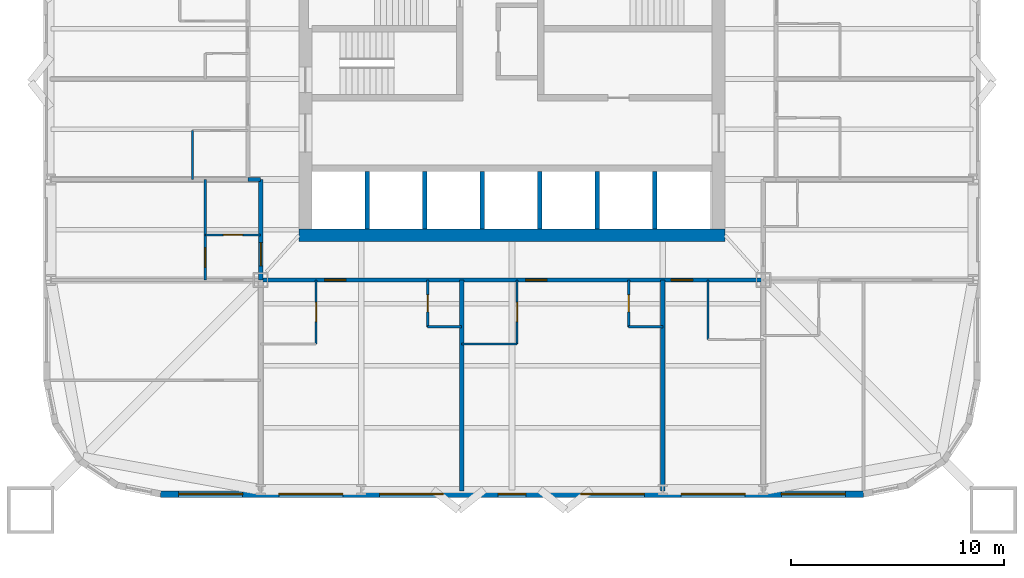
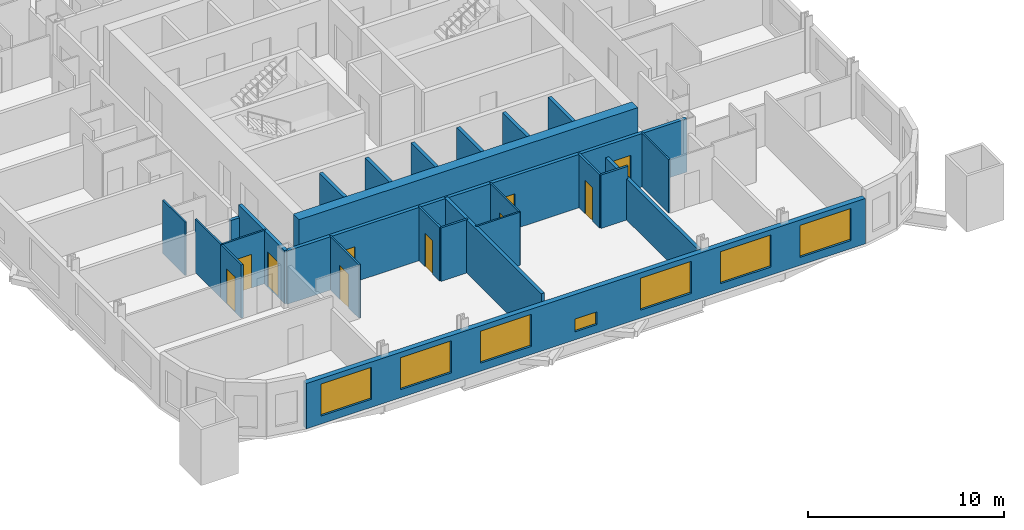
# One storey, part 3 of 10: 25 walls, 10 doors, 7 windows, 17 openings.
"""IFC4 building model written with IfcOpenShell, lengths in metres."""

from ifc_helpers import new_model, si_unit, direction, frame, frame_2d, origin, place, context, subcontext, project, spatial, rectangle, extrude, material, layer, layer_set, type_object, element, fill, save


model = new_model("IFC4")

# Units and contexts
model_context = context("Model", 3, precision=1e-05, world=origin(), true_north=direction((0.0, 1.0)))
body_context = subcontext(model_context, "Body", "Model", "MODEL_VIEW")
ifc_project = project(units=[si_unit("LENGTHUNIT", "METRE"), si_unit("AREAUNIT", "SQUARE_METRE"), si_unit("VOLUMEUNIT", "CUBIC_METRE"), si_unit("PLANEANGLEUNIT", "RADIAN"), si_unit("MASSUNIT", "GRAM", prefix="KILO")], contexts=[model_context])

# Site, building, storey
site_placement = place(None, origin())
site = spatial("IfcSite", under=ifc_project, at=site_placement, CompositionType="ELEMENT")
building_placement = place(site_placement, origin())
building = spatial("IfcBuilding", under=site, at=building_placement, Name="Turquesa Mirador Hotel Tower", CompositionType="ELEMENT")
storey_placement = place(building_placement, frame((0.0, 0.0, 53.0)))
storey = spatial("IfcBuildingStorey", under=building, at=storey_placement, Name="L13", CompositionType="ELEMENT", Elevation=53.0)

# Wall
ifc_material_1 = material(Name="Gypsum board on steel studs", Category="steel")
ifc_layer_1 = layer(ifc_material_1, 0.10009765625)
ifc_layer_set_1 = layer_set([ifc_layer_1], Name="BATHROOM WALL 100")
wall_type_1 = type_object("IfcWallType", Name="BATHROOM WALL 100", PredefinedType="PARTITIONING", material=ifc_layer_set_1)
wall_1_placement = place(storey_placement, frame((52.639892578125, 30.199951171875, 0.0), z_axis=(0.0, 0.0, 1.0), x_axis=(1.0, 0.0, 0.0)))
element("IfcWall", 1, at=wall_1_placement, inside=storey, type_object=wall_type_1, Name="Partition L13 011", PredefinedType="PARTITIONING", context=body_context, shape_type="SweptSolid", body=[
    extrude(rectangle(XDim=2.60009765625, YDim=0.10009765625, at=frame_2d((1.300048828125, 0.0))), origin(), (0.0, 0.0, 1.0), 3.330078125),
])

# Wall, opening, door
wall_2_placement = place(storey_placement, frame((40.60009765625, 35.320068359375, 0.0), z_axis=(0.0, 0.0, 1.0), x_axis=(1.0, 0.0, 0.0)))
wall_2 = element("IfcWall", 2, at=wall_2_placement, inside=storey, type_object=wall_type_1, Name="Partition L13 022", PredefinedType="PARTITIONING", context=body_context, shape_type="SweptSolid", body=[
    extrude(rectangle(XDim=2.599853515625, YDim=0.10009765625, at=frame_2d((1.2998046875, 0.0))), origin(), (0.0, 0.0, 1.0), 3.330078125),
])
opening_1_placement = place(wall_2_placement, frame((0.85009765625, 0.0, 0.0)))
opening_1 = element("IfcOpeningElement", 3, at=opening_1_placement, cuts=wall_2, Name="Opening D02", PredefinedType="OPENING", context=body_context, shape_type="SweptSolid", body=[
    extrude(rectangle(XDim=0.89990234375, YDim=2.10009765625, at=frame_2d((0.449951171875, 1.050048828125))), frame((0.0, 0.06005859375, 0.0), z_axis=(0.0, -1.0, 0.0), x_axis=(1.0, 0.0, 0.0)), (0.0, 0.0, 1.0), 0.1201171875),
])
ifc_material_2 = material(Name="Timber veneered door", Category="wood")
door_type_1 = type_object("IfcDoorType", Name="DOOR 900X2100 EN-SUITE", OperationType="SINGLE_SWING_RIGHT", PredefinedType="DOOR", material=ifc_material_2)
door_1_placement = place(opening_1_placement, origin())
door_1 = element("IfcDoor", 4, at=door_1_placement, inside=storey, type_object=door_type_1, Name="Door 1315B", OperationType="SINGLE_SWING_RIGHT", OverallHeight=2.10009765625, OverallWidth=0.89990234375, PredefinedType="DOOR", context=body_context, shape_type="SweptSolid", body=[
    extrude(rectangle(XDim=0.89990234375, YDim=2.10009765625, at=frame_2d((0.449951171875, 1.050048828125))), frame((0.0, 0.02490234375, 0.0), z_axis=(0.0, -1.0, 0.0), x_axis=(1.0, 0.0, 0.0)), (0.0, 0.0, 1.0), 0.050048828125),
])
fill(opening_1, door_1)

# Walls
wall_3_placement = place(storey_placement, frame((40.60009765625, 35.320068359375, 0.0), z_axis=(0.0, 0.0, 1.0), x_axis=(0.0, 1.0, 0.0)))
element("IfcWall", 5, at=wall_3_placement, inside=storey, type_object=wall_type_1, Name="Partition L13 056", PredefinedType="PARTITIONING", context=body_context, shape_type="SweptSolid", body=[
    extrude(rectangle(XDim=2.599853515625, YDim=0.10009765625, at=frame_2d((1.2998046875, 0.0))), origin(), (0.0, 0.0, 1.0), 3.330078125),
])
wall_4_placement = place(storey_placement, frame((40.0, 37.919921875, 0.0), z_axis=(0.0, 0.0, 1.0), x_axis=(0.0, 1.0, 0.0)))
element("IfcWall", 6, at=wall_4_placement, inside=storey, type_object=wall_type_1, Name="Partition L13 060", PredefinedType="PARTITIONING", context=body_context, shape_type="SweptSolid", body=[
    extrude(rectangle(XDim=2.300048828125, YDim=0.10009765625, at=frame_2d((1.14990234375, 0.0))), origin(), (0.0, 0.0, 1.0), 3.330078125),
])

# Wall, opening, door
wall_5_placement = place(storey_placement, frame((45.800048828125, 30.199951171875, 0.0), z_axis=(0.0, 0.0, 1.0), x_axis=(0.0, 1.0, 0.0)))
wall_5 = element("IfcWall", 7, at=wall_5_placement, inside=storey, type_object=wall_type_1, Name="Partition L13 070", PredefinedType="PARTITIONING", context=body_context, shape_type="SweptSolid", body=[
    extrude(rectangle(XDim=3.0, YDim=0.10009765625, at=frame_2d((1.5, 0.0))), origin(), (0.0, 0.0, 1.0), 3.330078125),
])
opening_2_placement = place(wall_5_placement, frame((1.050048828125, 0.0, 0.0)))
opening_2 = element("IfcOpeningElement", 8, at=opening_2_placement, cuts=wall_5, Name="Opening D02", PredefinedType="OPENING", context=body_context, shape_type="SweptSolid", body=[
    extrude(rectangle(XDim=0.89990234375, YDim=2.10009765625, at=frame_2d((0.449951171875, 1.050048828125))), frame((0.0, 0.06005859375, 0.0), z_axis=(0.0, -1.0, 0.0), x_axis=(1.0, 0.0, 0.0)), (0.0, 0.0, 1.0), 0.1201171875),
])
door_2_placement = place(opening_2_placement, origin())
door_2 = element("IfcDoor", 9, at=door_2_placement, inside=storey, type_object=door_type_1, Name="Door 1305B", OperationType="SINGLE_SWING_RIGHT", OverallHeight=2.10009765625, OverallWidth=0.89990234375, PredefinedType="DOOR", context=body_context, shape_type="SweptSolid", body=[
    extrude(rectangle(XDim=0.89990234375, YDim=2.10009765625, at=frame_2d((0.449951171875, 1.050048828125))), frame((0.0, 0.02490234375, 0.0), z_axis=(0.0, -1.0, 0.0), x_axis=(1.0, 0.0, 0.0)), (0.0, 0.0, 1.0), 0.050048828125),
])
fill(opening_2, door_2)

wall_6_placement = place(storey_placement, frame((55.239990234375, 30.199951171875, 0.0), z_axis=(0.0, 0.0, 1.0), x_axis=(0.0, 1.0, 0.0)))
wall_6 = element("IfcWall", 10, at=wall_6_placement, inside=storey, type_object=wall_type_1, Name="Partition L13 071", PredefinedType="PARTITIONING", context=body_context, shape_type="SweptSolid", body=[
    extrude(rectangle(XDim=3.0, YDim=0.10009765625, at=frame_2d((1.5, 0.0))), origin(), (0.0, 0.0, 1.0), 3.330078125),
])
opening_3_placement = place(wall_6_placement, frame((1.050048828125, 0.0, 0.0)))
opening_3 = element("IfcOpeningElement", 11, at=opening_3_placement, cuts=wall_6, Name="Opening D02", PredefinedType="OPENING", context=body_context, shape_type="SweptSolid", body=[
    extrude(rectangle(XDim=0.89990234375, YDim=2.10009765625, at=frame_2d((0.449951171875, 1.050048828125))), frame((0.0, 0.06005859375, 0.0), z_axis=(0.0, -1.0, 0.0), x_axis=(1.0, 0.0, 0.0)), (0.0, 0.0, 1.0), 0.1201171875),
])
door_3_placement = place(opening_3_placement, origin())
door_3 = element("IfcDoor", 12, at=door_3_placement, inside=storey, type_object=door_type_1, Name="Door 1306B", OperationType="SINGLE_SWING_RIGHT", OverallHeight=2.10009765625, OverallWidth=0.89990234375, PredefinedType="DOOR", context=body_context, shape_type="SweptSolid", body=[
    extrude(rectangle(XDim=0.89990234375, YDim=2.10009765625, at=frame_2d((0.449951171875, 1.050048828125))), frame((0.0, 0.02490234375, 0.0), z_axis=(0.0, -1.0, 0.0), x_axis=(1.0, 0.0, 0.0)), (0.0, 0.0, 1.0), 0.050048828125),
])
fill(opening_3, door_3)

# Walls
wall_7_placement = place(storey_placement, frame((64.199951171875, 30.39990234375, 0.0), z_axis=(0.0, 0.0, 1.0), x_axis=(0.0, 1.0, 0.0)))
element("IfcWall", 13, at=wall_7_placement, inside=storey, type_object=wall_type_1, Name="Partition L13 092", PredefinedType="PARTITIONING", context=body_context, shape_type="SweptSolid", body=[
    extrude(rectangle(XDim=2.800048828125, YDim=0.10009765625, at=frame_2d((1.39990234375, 0.0))), origin(), (0.0, 0.0, 1.0), 3.330078125),
])
ifc_material_3 = material(Name="Concrete C50/60", Category="concrete")
ifc_layer_2 = layer(ifc_material_3, 0.60009765625)
ifc_layer_set_2 = layer_set([ifc_layer_2], Name="CORE WALL 600")
wall_type_2 = type_object("IfcWallType", Name="CORE WALL 600", PredefinedType="SHEAR", material=ifc_layer_set_2)
wall_8_placement = place(storey_placement, frame((45.0, 35.300048828125, 0.0), z_axis=(0.0, 0.0, 1.0), x_axis=(1.0, 0.0, 0.0)))
element("IfcWall", 14, at=wall_8_placement, inside=storey, type_object=wall_type_2, Name="Core wall S", PredefinedType="SHEAR", context=body_context, shape_type="SweptSolid", body=[
    extrude(rectangle(XDim=20.0, YDim=0.60009765625, at=frame_2d((10.0, 0.0))), origin(), (0.0, 0.0, 1.0), 3.5),
])

# Wall, openings, doors
ifc_material_4 = material(Name="Fire-rated gypsum board on steel studs", Category="steel")
ifc_layer_3 = layer(ifc_material_4, 0.199951171875)
ifc_layer_set_3 = layer_set([ifc_layer_3], Name="CORRIDOR WALL 200")
wall_type_3 = type_object("IfcWallType", Name="CORRIDOR WALL 200", PredefinedType="PARTITIONING", material=ifc_layer_set_3)
wall_9_placement = place(storey_placement, frame((43.199951171875, 33.199951171875, 0.0), z_axis=(0.0, 0.0, 1.0), x_axis=(1.0, 0.0, 0.0)))
wall_9 = element("IfcWall", 15, at=wall_9_placement, inside=storey, type_object=wall_type_3, Name="Partition L13 003", PredefinedType="PARTITIONING", context=body_context, shape_type="SweptSolid", body=[
    extrude(rectangle(XDim=23.60009765625, YDim=0.199951171875, at=frame_2d((11.800048828125, 0.0))), origin(), (0.0, 0.0, 1.0), 3.330078125),
])
opening_4_placement = place(wall_9_placement, frame((3.0, 0.0, 0.0)))
opening_4 = element("IfcOpeningElement", 16, at=opening_4_placement, cuts=wall_9, Name="Opening D01", PredefinedType="OPENING", context=body_context, shape_type="SweptSolid", body=[
    extrude(rectangle(XDim=1.0, YDim=2.199951171875, at=frame_2d((0.5, 1.10009765625))), frame((0.0, 0.10986328125, 0.0), z_axis=(0.0, -1.0, 0.0), x_axis=(1.0, 0.0, 0.0)), (0.0, 0.0, 1.0), 0.219970703125),
])
opening_5_placement = place(wall_9_placement, frame((12.43994140625, 0.0, 0.0)))
opening_5 = element("IfcOpeningElement", 17, at=opening_5_placement, cuts=wall_9, Name="Opening D01", PredefinedType="OPENING", context=body_context, shape_type="SweptSolid", body=[
    extrude(rectangle(XDim=1.0, YDim=2.199951171875, at=frame_2d((0.5, 1.10009765625))), frame((0.0, 0.10986328125, 0.0), z_axis=(0.0, -1.0, 0.0), x_axis=(1.0, 0.0, 0.0)), (0.0, 0.0, 1.0), 0.219970703125),
])
opening_6_placement = place(wall_9_placement, frame((19.280029296875, 0.0, 0.0)))
opening_6 = element("IfcOpeningElement", 18, at=opening_6_placement, cuts=wall_9, Name="Opening D01", PredefinedType="OPENING", context=body_context, shape_type="SweptSolid", body=[
    extrude(rectangle(XDim=1.0, YDim=2.199951171875, at=frame_2d((0.5, 1.10009765625))), frame((0.0, 0.10986328125, 0.0), z_axis=(0.0, -1.0, 0.0), x_axis=(1.0, 0.0, 0.0)), (0.0, 0.0, 1.0), 0.219970703125),
])
ifc_material_5 = material(Name="Timber veneered fire door", Category="wood")
door_type_2 = type_object("IfcDoorType", Name="DOOR 1000X2200 GUEST ENTRY", OperationType="SINGLE_SWING_LEFT", PredefinedType="DOOR", material=ifc_material_5)
door_4_placement = place(opening_4_placement, origin())
door_4 = element("IfcDoor", 19, at=door_4_placement, inside=storey, type_object=door_type_2, Name="Door 1305", OperationType="SINGLE_SWING_LEFT", OverallHeight=2.199951171875, OverallWidth=1.0, PredefinedType="DOOR", context=body_context, shape_type="SweptSolid", body=[
    extrude(rectangle(XDim=1.0, YDim=2.199951171875, at=frame_2d((0.5, 1.10009765625))), frame((0.0, 0.02490234375, 0.0), z_axis=(0.0, -1.0, 0.0), x_axis=(1.0, 0.0, 0.0)), (0.0, 0.0, 1.0), 0.050048828125),
])
fill(opening_4, door_4)
door_5_placement = place(opening_5_placement, origin())
door_5 = element("IfcDoor", 20, at=door_5_placement, inside=storey, type_object=door_type_2, Name="Door 1306", OperationType="SINGLE_SWING_LEFT", OverallHeight=2.199951171875, OverallWidth=1.0, PredefinedType="DOOR", context=body_context, shape_type="SweptSolid", body=[
    extrude(rectangle(XDim=1.0, YDim=2.199951171875, at=frame_2d((0.5, 1.10009765625))), frame((0.0, 0.02490234375, 0.0), z_axis=(0.0, -1.0, 0.0), x_axis=(1.0, 0.0, 0.0)), (0.0, 0.0, 1.0), 0.050048828125),
])
fill(opening_5, door_5)
door_6_placement = place(opening_6_placement, origin())
door_6 = element("IfcDoor", 21, at=door_6_placement, inside=storey, type_object=door_type_2, Name="Door 1307", OperationType="SINGLE_SWING_LEFT", OverallHeight=2.199951171875, OverallWidth=1.0, PredefinedType="DOOR", context=body_context, shape_type="SweptSolid", body=[
    extrude(rectangle(XDim=1.0, YDim=2.199951171875, at=frame_2d((0.5, 1.10009765625))), frame((0.0, 0.02490234375, 0.0), z_axis=(0.0, -1.0, 0.0), x_axis=(1.0, 0.0, 0.0)), (0.0, 0.0, 1.0), 0.050048828125),
])
fill(opening_6, door_6)

# Wall
wall_10_placement = place(storey_placement, frame((42.60009765625, 37.919921875, 0.0), z_axis=(0.0, 0.0, 1.0), x_axis=(1.0, 0.0, 0.0)))
element("IfcWall", 22, at=wall_10_placement, inside=storey, type_object=wall_type_3, Name="Partition L13 017", PredefinedType="PARTITIONING", context=body_context, shape_type="SweptSolid", body=[
    extrude(rectangle(XDim=0.599853515625, YDim=0.199951171875, at=frame_2d((0.2998046875, 0.0))), origin(), (0.0, 0.0, 1.0), 2.572998046875),
])

# Wall, opening, door
wall_11_placement = place(storey_placement, frame((43.199951171875, 33.199951171875, 0.0), z_axis=(0.0, 0.0, 1.0), x_axis=(0.0, 1.0, 0.0)))
wall_11 = element("IfcWall", 23, at=wall_11_placement, inside=storey, type_object=wall_type_3, Name="Partition L13 050", PredefinedType="PARTITIONING", context=body_context, shape_type="SweptSolid", body=[
    extrude(rectangle(XDim=4.719970703125, YDim=0.199951171875, at=frame_2d((2.35986328125, 0.0))), origin(), (0.0, 0.0, 1.0), 3.330078125),
])
opening_7_placement = place(wall_11_placement, frame((0.659912109375, 0.0, 0.0)))
opening_7 = element("IfcOpeningElement", 24, at=opening_7_placement, cuts=wall_11, Name="Opening D15", PredefinedType="OPENING", context=body_context, shape_type="SweptSolid", body=[
    extrude(rectangle(XDim=1.10009765625, YDim=2.199951171875, at=frame_2d((0.550048828125, 1.10009765625))), frame((0.0, 0.10986328125, 0.0), z_axis=(0.0, -1.0, 0.0), x_axis=(1.0, 0.0, 0.0)), (0.0, 0.0, 1.0), 0.219970703125),
])
ifc_material_6 = material(Name="Timber veneered fire door", Category="wood")
door_type_3 = type_object("IfcDoorType", Name="DOOR 1100X2200 SUITE ENTRY", OperationType="SINGLE_SWING_LEFT", PredefinedType="DOOR", material=ifc_material_6)
door_7_placement = place(opening_7_placement, origin())
door_7 = element("IfcDoor", 25, at=door_7_placement, inside=storey, type_object=door_type_3, Name="Door 1315H", OperationType="SINGLE_SWING_LEFT", OverallHeight=2.199951171875, OverallWidth=1.10009765625, PredefinedType="DOOR", context=body_context, shape_type="SweptSolid", body=[
    extrude(rectangle(XDim=1.10009765625, YDim=2.199951171875, at=frame_2d((0.550048828125, 1.10009765625))), frame((0.0, 0.02490234375, 0.0), z_axis=(0.0, -1.0, 0.0), x_axis=(1.0, 0.0, 0.0)), (0.0, 0.0, 1.0), 0.050048828125),
])
fill(opening_7, door_7)

# Wall, openings, windows
ifc_material_7 = material(Name="Limestone cladding on concrete block", Category="masonry")
ifc_layer_4 = layer(ifc_material_7, 0.300048828125)
ifc_layer_set_4 = layer_set([ifc_layer_4], Name="FACADE WALL 300 STONE SCREEN")
wall_type_4 = type_object("IfcWallType", Name="FACADE WALL 300 STONE SCREEN", PredefinedType="SOLIDWALL", material=ifc_layer_set_4)
wall_12_placement = place(storey_placement, frame((38.5, 23.14990234375, 0.0), z_axis=(0.0, 0.0, 1.0), x_axis=(1.0, 0.0, 0.0)))
wall_12 = element("IfcWall", 26, at=wall_12_placement, inside=storey, type_object=wall_type_4, Name="Facade wall L13 19", PredefinedType="SOLIDWALL", context=body_context, shape_type="SweptSolid", body=[
    extrude(rectangle(XDim=33.0, YDim=0.300048828125, at=frame_2d((16.5, 0.0))), origin(), (0.0, 0.0, 1.0), 2.830078125),
])
opening_8_placement = place(wall_12_placement, frame((0.85009765625, 0.0, 0.5)))
opening_8 = element("IfcOpeningElement", 27, at=opening_8_placement, cuts=wall_12, Name="Opening WN1", PredefinedType="OPENING", context=body_context, shape_type="SweptSolid", body=[
    extrude(rectangle(XDim=3.0, YDim=2.0, at=frame_2d((1.5, 1.0))), frame((0.0, 0.159912109375, 0.0), z_axis=(0.0, -1.0, 0.0), x_axis=(1.0, 0.0, 0.0)), (0.0, 0.0, 1.0), 0.320068359375),
])
opening_9_placement = place(wall_12_placement, frame((5.56005859375, 0.0, 0.5)))
opening_9 = element("IfcOpeningElement", 28, at=opening_9_placement, cuts=wall_12, Name="Opening WN1", PredefinedType="OPENING", context=body_context, shape_type="SweptSolid", body=[
    extrude(rectangle(XDim=3.0, YDim=2.0, at=frame_2d((1.5, 1.0))), frame((0.0, 0.159912109375, 0.0), z_axis=(0.0, -1.0, 0.0), x_axis=(1.0, 0.0, 0.0)), (0.0, 0.0, 1.0), 0.320068359375),
])
opening_10_placement = place(wall_12_placement, frame((10.280029296875, 0.0, 0.5)))
opening_10 = element("IfcOpeningElement", 29, at=opening_10_placement, cuts=wall_12, Name="Opening WN1", PredefinedType="OPENING", context=body_context, shape_type="SweptSolid", body=[
    extrude(rectangle(XDim=3.0, YDim=2.0, at=frame_2d((1.5, 1.0))), frame((0.0, 0.159912109375, 0.0), z_axis=(0.0, -1.0, 0.0), x_axis=(1.0, 0.0, 0.0)), (0.0, 0.0, 1.0), 0.320068359375),
])
opening_11_placement = place(wall_12_placement, frame((15.85009765625, 0.0, 0.5)))
opening_11 = element("IfcOpeningElement", 30, at=opening_11_placement, cuts=wall_12, Name="Opening WN41", PredefinedType="OPENING", context=body_context, shape_type="SweptSolid", body=[
    extrude(rectangle(XDim=1.300048828125, YDim=0.800048828125, at=frame_2d((0.64990234375, 0.39990234375))), frame((0.0, 0.159912109375, 0.0), z_axis=(0.0, -1.0, 0.0), x_axis=(1.0, 0.0, 0.0)), (0.0, 0.0, 1.0), 0.320068359375),
])
opening_12_placement = place(wall_12_placement, frame((19.719970703125, 0.0, 0.5)))
opening_12 = element("IfcOpeningElement", 31, at=opening_12_placement, cuts=wall_12, Name="Opening WN1", PredefinedType="OPENING", context=body_context, shape_type="SweptSolid", body=[
    extrude(rectangle(XDim=3.0, YDim=2.0, at=frame_2d((1.5, 1.0))), frame((0.0, 0.159912109375, 0.0), z_axis=(0.0, -1.0, 0.0), x_axis=(1.0, 0.0, 0.0)), (0.0, 0.0, 1.0), 0.320068359375),
])
opening_13_placement = place(wall_12_placement, frame((24.43994140625, 0.0, 0.5)))
opening_13 = element("IfcOpeningElement", 32, at=opening_13_placement, cuts=wall_12, Name="Opening WN1", PredefinedType="OPENING", context=body_context, shape_type="SweptSolid", body=[
    extrude(rectangle(XDim=3.0, YDim=2.0, at=frame_2d((1.5, 1.0))), frame((0.0, 0.159912109375, 0.0), z_axis=(0.0, -1.0, 0.0), x_axis=(1.0, 0.0, 0.0)), (0.0, 0.0, 1.0), 0.320068359375),
])
opening_14_placement = place(wall_12_placement, frame((29.14990234375, 0.0, 0.5)))
opening_14 = element("IfcOpeningElement", 33, at=opening_14_placement, cuts=wall_12, Name="Opening WN1", PredefinedType="OPENING", context=body_context, shape_type="SweptSolid", body=[
    extrude(rectangle(XDim=3.0, YDim=2.0, at=frame_2d((1.5, 1.0))), frame((0.0, 0.159912109375, 0.0), z_axis=(0.0, -1.0, 0.0), x_axis=(1.0, 0.0, 0.0)), (0.0, 0.0, 1.0), 0.320068359375),
])
ifc_material_8 = material(Name="Ceramic-fritted laminated glass", Category="glass")
window_type_1 = type_object("IfcWindowType", Name="FRITTED WINDOW 1300X800", PartitioningType="DOUBLE_PANEL_HORIZONTAL", PredefinedType="WINDOW", material=ifc_material_8)
window_1_placement = place(opening_11_placement, origin())
window_1 = element("IfcWindow", 34, at=window_1_placement, inside=storey, type_object=window_type_1, Name="Window L13", OverallHeight=0.800048828125, OverallWidth=1.300048828125, PartitioningType="SINGLE_PANEL", PredefinedType="WINDOW", context=body_context, shape_type="SweptSolid", body=[
    extrude(rectangle(XDim=1.300048828125, YDim=0.800048828125, at=frame_2d((0.64990234375, 0.39990234375))), frame((0.0, 0.030029296875, 0.0), z_axis=(0.0, -1.0, 0.0), x_axis=(1.0, 0.0, 0.0)), (0.0, 0.0, 1.0), 0.06005859375),
])
fill(opening_11, window_1)
ifc_material_9 = material(Name="Ceramic-fritted laminated glass", Category="glass")
window_type_2 = type_object("IfcWindowType", Name="FRITTED WINDOW 3000X2000", PartitioningType="DOUBLE_PANEL_HORIZONTAL", PredefinedType="WINDOW", material=ifc_material_9)
window_2_placement = place(opening_8_placement, origin())
window_2 = element("IfcWindow", 35, at=window_2_placement, inside=storey, type_object=window_type_2, Name="Window L13", OverallHeight=2.0, OverallWidth=3.0, PartitioningType="SINGLE_PANEL", PredefinedType="WINDOW", context=body_context, shape_type="SweptSolid", body=[
    extrude(rectangle(XDim=3.0, YDim=2.0, at=frame_2d((1.5, 1.0))), frame((0.0, 0.030029296875, 0.0), z_axis=(0.0, -1.0, 0.0), x_axis=(1.0, 0.0, 0.0)), (0.0, 0.0, 1.0), 0.06005859375),
])
fill(opening_8, window_2)
window_3_placement = place(opening_9_placement, origin())
window_3 = element("IfcWindow", 36, at=window_3_placement, inside=storey, type_object=window_type_2, Name="Window L13", OverallHeight=2.0, OverallWidth=3.0, PartitioningType="SINGLE_PANEL", PredefinedType="WINDOW", context=body_context, shape_type="SweptSolid", body=[
    extrude(rectangle(XDim=3.0, YDim=2.0, at=frame_2d((1.5, 1.0))), frame((0.0, 0.030029296875, 0.0), z_axis=(0.0, -1.0, 0.0), x_axis=(1.0, 0.0, 0.0)), (0.0, 0.0, 1.0), 0.06005859375),
])
fill(opening_9, window_3)
window_4_placement = place(opening_10_placement, origin())
window_4 = element("IfcWindow", 37, at=window_4_placement, inside=storey, type_object=window_type_2, Name="Window L13", OverallHeight=2.0, OverallWidth=3.0, PartitioningType="SINGLE_PANEL", PredefinedType="WINDOW", context=body_context, shape_type="SweptSolid", body=[
    extrude(rectangle(XDim=3.0, YDim=2.0, at=frame_2d((1.5, 1.0))), frame((0.0, 0.030029296875, 0.0), z_axis=(0.0, -1.0, 0.0), x_axis=(1.0, 0.0, 0.0)), (0.0, 0.0, 1.0), 0.06005859375),
])
fill(opening_10, window_4)
window_5_placement = place(opening_12_placement, origin())
window_5 = element("IfcWindow", 38, at=window_5_placement, inside=storey, type_object=window_type_2, Name="Window L13", OverallHeight=2.0, OverallWidth=3.0, PartitioningType="SINGLE_PANEL", PredefinedType="WINDOW", context=body_context, shape_type="SweptSolid", body=[
    extrude(rectangle(XDim=3.0, YDim=2.0, at=frame_2d((1.5, 1.0))), frame((0.0, 0.030029296875, 0.0), z_axis=(0.0, -1.0, 0.0), x_axis=(1.0, 0.0, 0.0)), (0.0, 0.0, 1.0), 0.06005859375),
])
fill(opening_12, window_5)
window_6_placement = place(opening_13_placement, origin())
window_6 = element("IfcWindow", 39, at=window_6_placement, inside=storey, type_object=window_type_2, Name="Window L13", OverallHeight=2.0, OverallWidth=3.0, PartitioningType="SINGLE_PANEL", PredefinedType="WINDOW", context=body_context, shape_type="SweptSolid", body=[
    extrude(rectangle(XDim=3.0, YDim=2.0, at=frame_2d((1.5, 1.0))), frame((0.0, 0.030029296875, 0.0), z_axis=(0.0, -1.0, 0.0), x_axis=(1.0, 0.0, 0.0)), (0.0, 0.0, 1.0), 0.06005859375),
])
fill(opening_13, window_6)
window_7_placement = place(opening_14_placement, origin())
window_7 = element("IfcWindow", 40, at=window_7_placement, inside=storey, type_object=window_type_2, Name="Window L13", OverallHeight=2.0, OverallWidth=3.0, PartitioningType="SINGLE_PANEL", PredefinedType="WINDOW", context=body_context, shape_type="SweptSolid", body=[
    extrude(rectangle(XDim=3.0, YDim=2.0, at=frame_2d((1.5, 1.0))), frame((0.0, 0.030029296875, 0.0), z_axis=(0.0, -1.0, 0.0), x_axis=(1.0, 0.0, 0.0)), (0.0, 0.0, 1.0), 0.06005859375),
])
fill(opening_14, window_7)

# Walls
ifc_material_10 = material(Name="Fire-rated gypsum shaft wall on steel studs", Category="steel")
ifc_layer_5 = layer(ifc_material_10, 0.199951171875)
ifc_layer_set_5 = layer_set([ifc_layer_5], Name="LIFT SHAFT DIVIDER 200")
wall_type_5 = type_object("IfcWallType", Name="LIFT SHAFT DIVIDER 200", PredefinedType="PARTITIONING", material=ifc_layer_set_5)
for number, where, z_axis, x_axis, name in (
    (41, (48.199951171875, 35.60009765625, 0.0), (0.0, 0.0, 1.0), (0.0, 1.0, 0.0), "Lift shaft divider"),
    (42, (50.89990234375, 35.60009765625, 0.0), (0.0, 0.0, 1.0), (0.0, 1.0, 0.0), "Lift shaft divider"),
    (43, (53.60009765625, 35.60009765625, 0.0), (0.0, 0.0, 1.0), (0.0, 1.0, 0.0), "Lift shaft divider"),
    (44, (56.300048828125, 35.60009765625, 0.0), (0.0, 0.0, 1.0), (0.0, 1.0, 0.0), "Lift shaft divider"),
    (45, (59.0, 35.60009765625, 0.0), (0.0, 0.0, 1.0), (0.0, 1.0, 0.0), "Lift shaft divider"),
    (46, (61.699951171875, 35.60009765625, 0.0), (0.0, 0.0, 1.0), (0.0, 1.0, 0.0), "Lift shaft divider"),
):
    element("IfcWall", number, at=place(storey_placement, frame(where, z_axis=z_axis, x_axis=x_axis)), inside=storey, type_object=wall_type_5, Name=name, PredefinedType="PARTITIONING", context=body_context, shape_type="SweptSolid", body=[
        extrude(rectangle(XDim=2.699951171875, YDim=0.199951171875, at=frame_2d((1.35009765625, 0.0))), origin(), (0.0, 0.0, 1.0), 3.330078125),
    ])
ifc_material_11 = material(Name="Fire-rated gypsum board on steel studs", Category="steel")
ifc_layer_6 = layer(ifc_material_11, 0.199951171875)
ifc_layer_set_6 = layer_set([ifc_layer_6], Name="PARTY WALL 200")
wall_type_6 = type_object("IfcWallType", Name="PARTY WALL 200", PredefinedType="PARTITIONING", material=ifc_layer_set_6)
wall_13_placement = place(storey_placement, frame((52.639892578125, 23.300048828125, 0.0), z_axis=(0.0, 0.0, 1.0), x_axis=(0.0, 1.0, 0.0)))
element("IfcWall", 47, at=wall_13_placement, inside=storey, type_object=wall_type_6, Name="Partition L13 064", PredefinedType="PARTITIONING", context=body_context, shape_type="SweptSolid", body=[
    extrude(rectangle(XDim=9.89990234375, YDim=0.199951171875, at=frame_2d((4.949951171875, 0.0))), origin(), (0.0, 0.0, 1.0), 3.330078125),
])
wall_14_placement = place(storey_placement, frame((62.080078125, 23.300048828125, 0.0), z_axis=(0.0, 0.0, 1.0), x_axis=(0.0, 1.0, 0.0)))
element("IfcWall", 48, at=wall_14_placement, inside=storey, type_object=wall_type_6, Name="Partition L13 091", PredefinedType="PARTITIONING", context=body_context, shape_type="SweptSolid", body=[
    extrude(rectangle(XDim=9.89990234375, YDim=0.199951171875, at=frame_2d((4.949951171875, 0.0))), origin(), (0.0, 0.0, 1.0), 2.572998046875),
])
ifc_material_12 = material(Name="Acoustic gypsum board on steel studs", Category="steel")
ifc_layer_7 = layer(ifc_material_12, 0.125)
ifc_layer_set_7 = layer_set([ifc_layer_7], Name="SUITE PARTITION 125")
wall_type_7 = type_object("IfcWallType", Name="SUITE PARTITION 125", PredefinedType="PARTITIONING", material=ifc_layer_set_7)
wall_15_placement = place(storey_placement, frame((51.0400390625, 31.0, 0.0), z_axis=(0.0, 0.0, 1.0), x_axis=(1.0, 0.0, 0.0)))
element("IfcWall", 49, at=wall_15_placement, inside=storey, type_object=wall_type_7, Name="Partition L13 006", PredefinedType="PARTITIONING", context=body_context, shape_type="SweptSolid", body=[
    extrude(rectangle(XDim=1.599853515625, YDim=0.125, at=frame_2d((0.7998046875, 0.0))), origin(), (0.0, 0.0, 1.0), 3.330078125),
])
wall_16_placement = place(storey_placement, frame((60.47998046875, 31.0, 0.0), z_axis=(0.0, 0.0, 1.0), x_axis=(1.0, 0.0, 0.0)))
element("IfcWall", 50, at=wall_16_placement, inside=storey, type_object=wall_type_7, Name="Partition L13 007", PredefinedType="PARTITIONING", context=body_context, shape_type="SweptSolid", body=[
    extrude(rectangle(XDim=1.60009765625, YDim=0.125, at=frame_2d((0.800048828125, 0.0))), origin(), (0.0, 0.0, 1.0), 3.330078125),
])

# Wall, opening, door
wall_17_placement = place(storey_placement, frame((40.60009765625, 33.199951171875, 0.0), z_axis=(0.0, 0.0, 1.0), x_axis=(0.0, 1.0, 0.0)))
wall_17 = element("IfcWall", 51, at=wall_17_placement, inside=storey, type_object=wall_type_7, Name="Partition L13 059", PredefinedType="PARTITIONING", context=body_context, shape_type="SweptSolid", body=[
    extrude(rectangle(XDim=2.1201171875, YDim=0.125, at=frame_2d((1.06005859375, 0.0))), origin(), (0.0, 0.0, 1.0), 3.330078125),
])
opening_15_placement = place(wall_17_placement, frame((0.610107421875, 0.0, 0.0)))
opening_15 = element("IfcOpeningElement", 52, at=opening_15_placement, cuts=wall_17, Name="Opening D17", PredefinedType="OPENING", context=body_context, shape_type="SweptSolid", body=[
    extrude(rectangle(XDim=0.89990234375, YDim=2.199951171875, at=frame_2d((0.449951171875, 1.10009765625))), frame((0.0, 0.072509765625, 0.0), z_axis=(0.0, -1.0, 0.0), x_axis=(1.0, 0.0, 0.0)), (0.0, 0.0, 1.0), 0.14501953125),
])
ifc_material_13 = material(Name="Timber veneered door", Category="wood")
door_type_4 = type_object("IfcDoorType", Name="DOOR 900X2200 SUITE INTERNAL", OperationType="SINGLE_SWING_LEFT", PredefinedType="DOOR", material=ifc_material_13)
door_8_placement = place(opening_15_placement, origin())
door_8 = element("IfcDoor", 53, at=door_8_placement, inside=storey, type_object=door_type_4, Name="Door 1315R", OperationType="SINGLE_SWING_LEFT", OverallHeight=2.199951171875, OverallWidth=0.89990234375, PredefinedType="DOOR", context=body_context, shape_type="SweptSolid", body=[
    extrude(rectangle(XDim=0.89990234375, YDim=2.199951171875, at=frame_2d((0.449951171875, 1.10009765625))), frame((0.0, 0.02490234375, 0.0), z_axis=(0.0, -1.0, 0.0), x_axis=(1.0, 0.0, 0.0)), (0.0, 0.0, 1.0), 0.050048828125),
])
fill(opening_15, door_8)

wall_18_placement = place(storey_placement, frame((51.0400390625, 31.0, 0.0), z_axis=(0.0, 0.0, 1.0), x_axis=(0.0, 1.0, 0.0)))
wall_18 = element("IfcWall", 54, at=wall_18_placement, inside=storey, type_object=wall_type_7, Name="Partition L13 066", PredefinedType="PARTITIONING", context=body_context, shape_type="SweptSolid", body=[
    extrude(rectangle(XDim=2.199951171875, YDim=0.125, at=frame_2d((1.10009765625, 0.0))), origin(), (0.0, 0.0, 1.0), 3.330078125),
])
opening_16_placement = place(wall_18_placement, frame((0.699951171875, 0.0, 0.0)))
opening_16 = element("IfcOpeningElement", 55, at=opening_16_placement, cuts=wall_18, Name="Opening D20", PredefinedType="OPENING", context=body_context, shape_type="SweptSolid", body=[
    extrude(rectangle(XDim=0.800048828125, YDim=2.10009765625, at=frame_2d((0.39990234375, 1.050048828125))), frame((0.0, 0.072509765625, 0.0), z_axis=(0.0, -1.0, 0.0), x_axis=(1.0, 0.0, 0.0)), (0.0, 0.0, 1.0), 0.14501953125),
])
ifc_material_14 = material(Name="Timber veneered sliding door", Category="wood")
door_type_5 = type_object("IfcDoorType", Name="DOOR 800X2100 WARDROBE", OperationType="SLIDING_TO_LEFT", PredefinedType="DOOR", material=ifc_material_14)
door_9_placement = place(opening_16_placement, origin())
door_9 = element("IfcDoor", 56, at=door_9_placement, inside=storey, type_object=door_type_5, Name="Door 1305W", OperationType="SLIDING_TO_LEFT", OverallHeight=2.10009765625, OverallWidth=0.800048828125, PredefinedType="DOOR", context=body_context, shape_type="SweptSolid", body=[
    extrude(rectangle(XDim=0.800048828125, YDim=2.10009765625, at=frame_2d((0.39990234375, 1.050048828125))), frame((0.0, 0.02490234375, 0.0), z_axis=(0.0, -1.0, 0.0), x_axis=(1.0, 0.0, 0.0)), (0.0, 0.0, 1.0), 0.050048828125),
])
fill(opening_16, door_9)

wall_19_placement = place(storey_placement, frame((60.47998046875, 31.0, 0.0), z_axis=(0.0, 0.0, 1.0), x_axis=(0.0, 1.0, 0.0)))
wall_19 = element("IfcWall", 57, at=wall_19_placement, inside=storey, type_object=wall_type_7, Name="Partition L13 090", PredefinedType="PARTITIONING", context=body_context, shape_type="SweptSolid", body=[
    extrude(rectangle(XDim=2.199951171875, YDim=0.125, at=frame_2d((1.10009765625, 0.0))), origin(), (0.0, 0.0, 1.0), 3.330078125),
])
opening_17_placement = place(wall_19_placement, frame((0.699951171875, 0.0, 0.0)))
opening_17 = element("IfcOpeningElement", 58, at=opening_17_placement, cuts=wall_19, Name="Opening D20", PredefinedType="OPENING", context=body_context, shape_type="SweptSolid", body=[
    extrude(rectangle(XDim=0.800048828125, YDim=2.10009765625, at=frame_2d((0.39990234375, 1.050048828125))), frame((0.0, 0.072509765625, 0.0), z_axis=(0.0, -1.0, 0.0), x_axis=(1.0, 0.0, 0.0)), (0.0, 0.0, 1.0), 0.14501953125),
])
door_10_placement = place(opening_17_placement, origin())
door_10 = element("IfcDoor", 59, at=door_10_placement, inside=storey, type_object=door_type_5, Name="Door 1306W", OperationType="SLIDING_TO_LEFT", OverallHeight=2.10009765625, OverallWidth=0.800048828125, PredefinedType="DOOR", context=body_context, shape_type="SweptSolid", body=[
    extrude(rectangle(XDim=0.800048828125, YDim=2.10009765625, at=frame_2d((0.39990234375, 1.050048828125))), frame((0.0, 0.02490234375, 0.0), z_axis=(0.0, -1.0, 0.0), x_axis=(1.0, 0.0, 0.0)), (0.0, 0.0, 1.0), 0.050048828125),
])
fill(opening_17, door_10)

save(model, "model.ifc")
